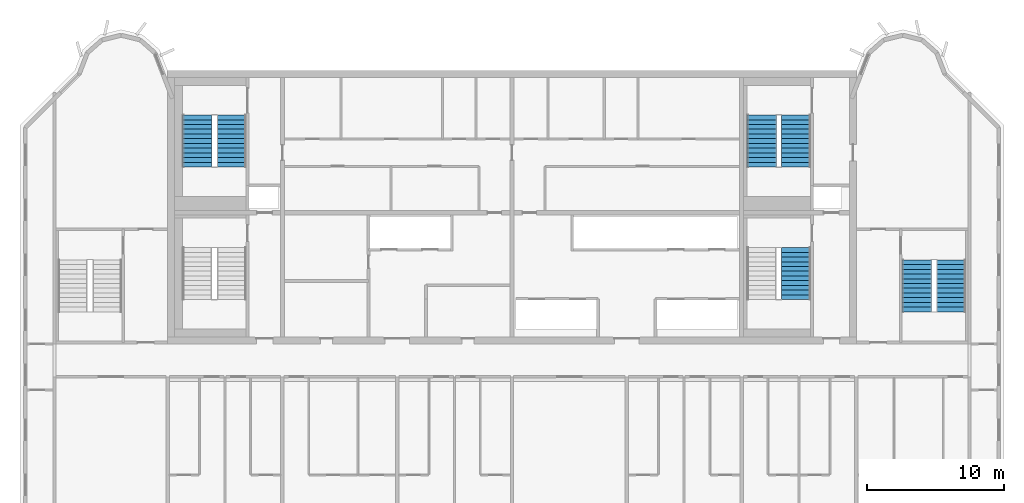
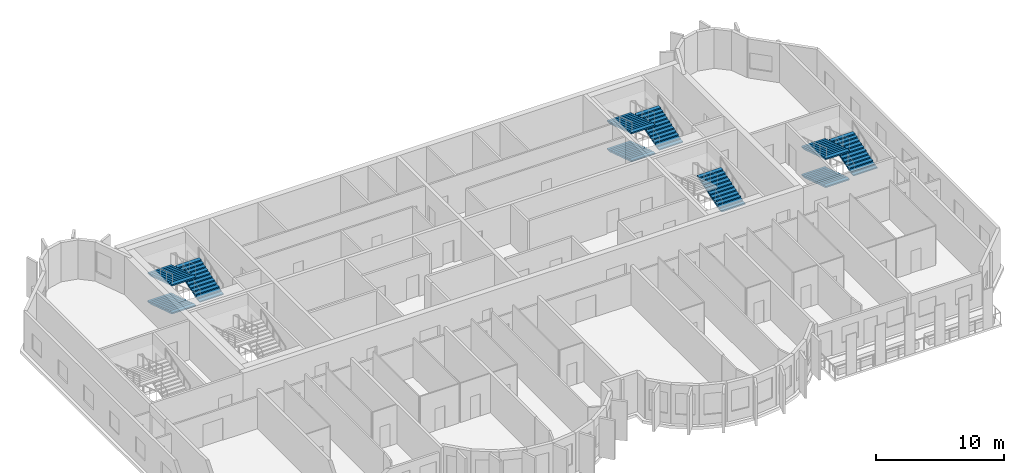
# One storey, part 9 of 12: 10 stair flights, 4 elements without a shape of their own.
"""IFC4 building model written with IfcOpenShell, lengths in metres."""

import ifcopenshell
import ifcopenshell.guid

model = None  # the IFC model being written
_history = None  # IfcOwnerHistory: only IFC2X3 demands one
_inside = {}  # id of a spatial element -> (the spatial element, [elements in it])
_under = {}  # id of a project, library or spatial element -> (it, [spatial elements below it])
_declared = {}  # id of a project -> (the project, [libraries it declares])
_typed = {}  # id of a type object -> (the type object, [elements of that type])
_made_of = {}  # id of a material, layer set ... -> (it, [elements and type objects made of it])


def new_model(schema):
    """Start an empty IFC model of exactly this schema.

    Asked for "IFC4X3", IfcOpenShell would pick the latest addendum, in which some entities
    have other attributes; the version numbers below select the first issue.
    IFC2X3 requires an IfcOwnerHistory on every rooted entity: one is made here for all.
    """
    global model, _history
    if schema == "IFC4X3":
        model = ifcopenshell.file(schema_version=(4, 3, 0, 0))
    else:
        model = ifcopenshell.file(schema=schema)
    _inside.clear()
    _under.clear()
    _declared.clear()
    _typed.clear()
    _made_of.clear()
    _history = None
    if model.schema == "IFC2X3":
        org = make("IfcOrganization", Name="unknown")
        user = make(
            "IfcPersonAndOrganization",
            ThePerson=make("IfcPerson", FamilyName="unknown"),
            TheOrganization=org,
        )
        app = make(
            "IfcApplication",
            ApplicationDeveloper=org,
            Version="unknown",
            ApplicationFullName="unknown",
            ApplicationIdentifier="unknown",
        )
        _history = make(
            "IfcOwnerHistory",
            OwningUser=user,
            OwningApplication=app,
            ChangeAction="ADDED",
            CreationDate=0,
        )
    return model


def make(cls, **values):
    """One entity of the class cls with the attributes given. An attribute that is None is left unset."""
    return model.create_entity(
        cls, **{name: value for name, value in values.items() if value is not None}
    )


def rooted(cls, **values):
    """An entity with a GlobalId (a new one), such as an element, a storey or a relation."""
    return make(cls, GlobalId=ifcopenshell.guid.new(), OwnerHistory=_history, **values)


def si_unit(unit_type, name, prefix=None):
    """IfcSIUnit, for example si_unit("LENGTHUNIT", "METRE", prefix="MILLI")."""
    return make("IfcSIUnit", UnitType=unit_type, Prefix=prefix, Name=name)


def assignment(units):
    """IfcUnitAssignment: the units of a project."""
    return None if units is None else make("IfcUnitAssignment", Units=units)


def point(xyz):
    """IfcCartesianPoint."""
    return None if xyz is None else make("IfcCartesianPoint", Coordinates=xyz)


def direction(xyz):
    """IfcDirection."""
    return None if xyz is None else make("IfcDirection", DirectionRatios=xyz)


def frame(location, z_axis=None, x_axis=None):
    """IfcAxis2Placement3D, a coordinate frame: its origin and axes. An axis left out is left unset."""
    return make(
        "IfcAxis2Placement3D",
        Location=point(location),
        Axis=direction(z_axis),
        RefDirection=direction(x_axis),
    )


def origin():
    """The frame at (0, 0, 0) with its axes left unset."""
    return frame((0.0, 0.0, 0.0))


def place(relative_to, where):
    """IfcLocalPlacement: puts the frame where relative to a parent placement (None: the world)."""
    return make(
        "IfcLocalPlacement", PlacementRelTo=relative_to, RelativePlacement=where
    )


def context(
    kind, dimensions, precision=None, world=None, true_north=None, identifier=None
):
    """IfcGeometricRepresentationContext, for example the 3D "Model" context."""
    return make(
        "IfcGeometricRepresentationContext",
        ContextIdentifier=identifier,
        ContextType=kind,
        CoordinateSpaceDimension=dimensions,
        Precision=precision,
        WorldCoordinateSystem=world,
        TrueNorth=true_north,
    )


def subcontext(parent, identifier, kind, view, scale=None):
    """IfcGeometricRepresentationSubContext, for example "Body" below "Model"."""
    return make(
        "IfcGeometricRepresentationSubContext",
        ContextIdentifier=identifier,
        ContextType=kind,
        ParentContext=parent,
        TargetScale=scale,
        TargetView=view,
    )


def project(units=None, contexts=None):
    """IfcProject with its units and contexts."""
    return rooted(
        "IfcProject",
        Name="project",
        RepresentationContexts=contexts,
        UnitsInContext=assignment(units),
    )


def spatial(cls, under=None, at=None, **own):
    """A site, building, storey or space (cls), placed at a placement, below another one or the project."""
    s = rooted(cls, ObjectPlacement=at, **own)
    if under is not None:
        _under.setdefault(under.id(), (under, []))[1].append(s)
    return s


def polyline(points):
    """IfcPolyline through the points."""
    return make("IfcPolyline", Points=[point(p) for p in points])


def outline(outer, holes=None, kind="AREA"):
    """IfcArbitraryClosedProfileDef: a profile drawn as a closed curve; with holes, ...WithVoids."""
    if holes is None:
        return make("IfcArbitraryClosedProfileDef", ProfileType=kind, OuterCurve=outer)
    return make(
        "IfcArbitraryProfileDefWithVoids",
        ProfileType=kind,
        OuterCurve=outer,
        InnerCurves=holes,
    )


def extrude(swept, where, along, depth):
    """IfcExtrudedAreaSolid: the profile swept, set in the frame where, extruded along a direction by depth."""
    return make(
        "IfcExtrudedAreaSolid",
        SweptArea=swept,
        Position=where,
        ExtrudedDirection=direction(along),
        Depth=depth,
    )


def shape(context_of_items, identifier, shape_type, items):
    """IfcShapeRepresentation: the items that make up one representation, for example the "Body"."""
    return make(
        "IfcShapeRepresentation",
        ContextOfItems=context_of_items,
        RepresentationIdentifier=identifier,
        RepresentationType=shape_type,
        Items=items,
    )


def source(mapping_origin, context_of_items, identifier, shape_type, items):
    """IfcRepresentationMap: a shape defined once, which mapped items show again and again."""
    return make(
        "IfcRepresentationMap",
        MappingOrigin=mapping_origin,
        MappedRepresentation=shape(context_of_items, identifier, shape_type, items),
    )


def transform(
    local_origin,
    x_axis=None,
    y_axis=None,
    z_axis=None,
    scale=None,
    scale2=None,
    scale3=None,
    uniform=True,
):
    """IfcCartesianTransformationOperator3D, or its non-uniform kind. x_axis, y_axis, z_axis: its Axis1, 2, 3."""
    if uniform:
        return make(
            "IfcCartesianTransformationOperator3D",
            Axis1=direction(x_axis),
            Axis2=direction(y_axis),
            LocalOrigin=point(local_origin),
            Scale=scale,
            Axis3=direction(z_axis),
        )
    return make(
        "IfcCartesianTransformationOperator3DnonUniform",
        Axis1=direction(x_axis),
        Axis2=direction(y_axis),
        LocalOrigin=point(local_origin),
        Scale=scale,
        Axis3=direction(z_axis),
        Scale2=scale2,
        Scale3=scale3,
    )


def mapped(mapping_source, mapping_target):
    """IfcMappedItem: shows the shape of a source again, moved by a transform."""
    return make(
        "IfcMappedItem", MappingSource=mapping_source, MappingTarget=mapping_target
    )


def material(Name=None, Category=None):
    """IfcMaterial."""
    return make("IfcMaterial", Name=Name, Category=Category)


def made_of(thing, what):
    """Note that an element or type object is made of a material, layer set ...; save() writes the relation."""
    if what is not None:
        _made_of.setdefault(what.id(), (what, []))[1].append(thing)
    return thing


def type_object(cls, material=None, **own):
    """A type object (cls), such as IfcWallType, which elements share."""
    return made_of(rooted(cls, **own), material)


def element(
    cls,
    number,
    at=None,
    inside=None,
    cuts=None,
    type_object=None,
    material=None,
    context=None,
    identifier="Body",
    shape_type=None,
    held_by="IfcProductDefinitionShape",
    body=None,
    shapes=None,
    **own,
):
    """One element of the class cls, such as IfcWall. Its Tag is "e" and its number.

    at: its placement. inside: the storey or other place that contains it. cuts: it is an
    opening in that element (IfcRelVoidsElement). A single representation is given by context,
    identifier, shape_type and body (its items); several are given by shapes. held_by: the class
    of the entity that holds the representations. save() writes the other relations.
    """
    e = rooted(cls, Tag="e%d" % number, ObjectPlacement=at, **own)
    if body is not None:
        shapes = [shape(context, identifier, shape_type, body)]
    if shapes is not None:
        e.Representation = make(held_by, Representations=shapes)
    if inside is not None:
        _inside.setdefault(inside.id(), (inside, []))[1].append(e)
    if cuts is not None:
        rooted(
            "IfcRelVoidsElement", RelatingBuildingElement=cuts, RelatedOpeningElement=e
        )
    if type_object is not None:
        _typed.setdefault(type_object.id(), (type_object, []))[1].append(e)
    return made_of(e, material)


def aggregate(whole, parts):
    """IfcRelAggregates: a whole, such as a stair, and the parts it consists of."""
    return rooted("IfcRelAggregates", RelatingObject=whole, RelatedObjects=parts)


def save(model, path):
    """Write the relations noted so far, then the file.

    IfcRelAggregates (storeys below a building ...), IfcRelContainedInSpatialStructure (elements
    in a storey), IfcRelDefinesByType, IfcRelAssociatesMaterial and IfcRelDeclares: one each for
    every whole, place, type object, material and project.
    """
    for whole, parts in _under.values():
        aggregate(whole, parts)
    for where, things in _inside.values():
        rooted(
            "IfcRelContainedInSpatialStructure",
            RelatedElements=things,
            RelatingStructure=where,
        )
    for kind, things in _typed.values():
        rooted("IfcRelDefinesByType", RelatedObjects=things, RelatingType=kind)
    for what, things in _made_of.values():
        rooted("IfcRelAssociatesMaterial", RelatedObjects=things, RelatingMaterial=what)
    for by, libraries in _declared.values():
        rooted("IfcRelDeclares", RelatingContext=by, RelatedDefinitions=libraries)
    model.write(path)


model = new_model("IFC4")

# Units and contexts
model_context = context("Model", 3, precision=1e-05, world=origin(), true_north=direction((0.0, 1.0)))
body_context = subcontext(model_context, "Body", "Model", "MODEL_VIEW")
ifc_project = project(units=[si_unit("LENGTHUNIT", "METRE"), si_unit("AREAUNIT", "SQUARE_METRE"), si_unit("VOLUMEUNIT", "CUBIC_METRE"), si_unit("PLANEANGLEUNIT", "RADIAN"), si_unit("MASSUNIT", "GRAM", prefix="KILO")], contexts=[model_context])

# Site, building, storey
site_placement = place(None, origin())
site = spatial("IfcSite", under=ifc_project, at=site_placement, CompositionType="ELEMENT")
building_placement = place(site_placement, origin())
building = spatial("IfcBuilding", under=site, at=building_placement, Name="Vanashikhar Sky Hotel", CompositionType="ELEMENT")
storey_placement = place(building_placement, frame((0.0, 0.0, 301.699951171875)))
storey = spatial("IfcBuildingStorey", under=building, at=storey_placement, Name="L72", CompositionType="ELEMENT", Elevation=301.699951171875)

# Stair, stair flight
ifc_material = material(Name="Concrete M40", Category="concrete")
stair_type = type_object("IfcStairType", Name="Exit stair 2150", PredefinedType="DOUBLE_RETURN_STAIR", material=ifc_material)
stair_1_placement = place(storey_placement, origin())
stair_1 = element("IfcStair", 1, at=stair_1_placement, inside=storey, type_object=stair_type, Name="L72 Exit stair 2", PredefinedType="DOUBLE_RETURN_STAIR")
stair_flight_type = type_object("IfcStairFlightType", Name="Stair flight 2150", PredefinedType="STRAIGHT", material=ifc_material)
shared_shape = source(origin(), body_context, "Body", "SweptSolid", [
    extrude(outline(polyline([(0.0, 0.0), (0.0, 0.111083984375), (0.345458984375, 0.111083984375), (0.345458984375, 0.22216796875), (0.69091796875, 0.22216796875), (0.69091796875, 0.333251953125), (1.036376953125, 0.333251953125), (1.036376953125, 0.4443359375), (1.3818359375, 0.4443359375), (1.3818359375, 0.5556640625), (1.727294921875, 0.5556640625), (1.727294921875, 0.666748046875), (2.07275390625, 0.666748046875), (2.07275390625, 0.77783203125), (2.418212890625, 0.77783203125), (2.418212890625, 0.888916015625), (2.763671875, 0.888916015625), (2.763671875, 1.0), (3.109130859375, 1.0), (3.109130859375, 1.111083984375), (3.45458984375, 1.111083984375), (3.45458984375, 1.22216796875), (3.800048828125, 1.22216796875), (3.800048828125, 1.333251953125), (3.800048828125, 1.095947265625), (0.392333984375, 0.0), (0.0, 0.0)])), frame((0.0, 1.074951171875, 0.0), z_axis=(0.0, -1.0, 0.0), x_axis=(1.0, 0.0, 0.0)), (0.0, 0.0, 1.0), 2.14990234375),
])
stair_flight_1_placement = place(storey_placement, frame((71.175048828125, 25.25, 1.33349609375), z_axis=(0.0, 0.0, 1.0), x_axis=(0.0, 1.0, 0.0)))
stair_flight_1 = element("IfcStairFlight", 2, at=stair_flight_1_placement, type_object=stair_flight_type, Name="ST-C2 flight 2", NumberOfRisers=12, NumberOfTreads=11, PredefinedType="STRAIGHT", RiserHeight=0.111111111, TreadLength=0.345454545, context=body_context, shape_type="MappedRepresentation", body=[
    mapped(shared_shape, transform((0.0, 0.0, 0.0), scale=1.0)),
])
aggregate(stair_1, [stair_flight_1])

# Stair, stair flights
stair_2_placement = place(storey_placement, origin())
stair_2 = element("IfcStair", 3, at=stair_2_placement, inside=storey, type_object=stair_type, Name="L72 Exit stair 4", PredefinedType="DOUBLE_RETURN_STAIR")
stair_flight_2_placement = place(storey_placement, frame((80.02490234375, 28.14990234375, 0.0), z_axis=(0.0, 0.0, 1.0), x_axis=(0.0, -1.0, 0.0)))
stair_flight_2 = element("IfcStairFlight", 4, at=stair_flight_2_placement, type_object=stair_flight_type, Name="ST-E flight 1", NumberOfRisers=12, NumberOfTreads=11, PredefinedType="STRAIGHT", RiserHeight=0.111111111, TreadLength=0.345454545, context=body_context, shape_type="MappedRepresentation", body=[
    mapped(shared_shape, transform((0.0, 0.0, 0.0), scale=1.0)),
])
stair_flight_3_placement = place(storey_placement, frame((82.52490234375, 24.35009765625, 1.33349609375), z_axis=(0.0, 0.0, 1.0), x_axis=(0.0, 1.0, 0.0)))
stair_flight_3 = element("IfcStairFlight", 5, at=stair_flight_3_placement, type_object=stair_flight_type, Name="ST-E flight 2", NumberOfRisers=12, NumberOfTreads=11, PredefinedType="STRAIGHT", RiserHeight=0.111111111, TreadLength=0.345454545, context=body_context, shape_type="MappedRepresentation", body=[
    mapped(shared_shape, transform((0.0, 0.0, 0.0), scale=1.0)),
])
stair_flight_4_placement = place(storey_placement, frame((80.02490234375, 28.14990234375, 2.666748046875), z_axis=(0.0, 0.0, 1.0), x_axis=(0.0, -1.0, 0.0)))
stair_flight_4 = element("IfcStairFlight", 6, at=stair_flight_4_placement, type_object=stair_flight_type, Name="ST-E flight 3", NumberOfRisers=12, NumberOfTreads=11, PredefinedType="STRAIGHT", RiserHeight=0.111111111, TreadLength=0.345454545, context=body_context, shape_type="MappedRepresentation", body=[
    mapped(shared_shape, transform((0.0, 0.0, 0.0), scale=1.0)),
])
aggregate(stair_2, [stair_flight_2, stair_flight_3, stair_flight_4])

stair_3_placement = place(storey_placement, origin())
stair_3 = element("IfcStair", 7, at=stair_3_placement, inside=storey, type_object=stair_type, Name="L72 Exit stair 5", PredefinedType="DOUBLE_RETURN_STAIR")
stair_flight_5_placement = place(storey_placement, frame((27.375, 38.75, 0.0), z_axis=(0.0, 0.0, 1.0), x_axis=(0.0, -1.0, 0.0)))
stair_flight_5 = element("IfcStairFlight", 8, at=stair_flight_5_placement, type_object=stair_flight_type, Name="ST-C3 flight 1", NumberOfRisers=12, NumberOfTreads=11, PredefinedType="STRAIGHT", RiserHeight=0.111111111, TreadLength=0.345454545, context=body_context, shape_type="MappedRepresentation", body=[
    mapped(shared_shape, transform((0.0, 0.0, 0.0), scale=1.0)),
])
stair_flight_6_placement = place(storey_placement, frame((29.875, 34.949951171875, 1.33349609375), z_axis=(0.0, 0.0, 1.0), x_axis=(0.0, 1.0, 0.0)))
stair_flight_6 = element("IfcStairFlight", 9, at=stair_flight_6_placement, type_object=stair_flight_type, Name="ST-C3 flight 2", NumberOfRisers=12, NumberOfTreads=11, PredefinedType="STRAIGHT", RiserHeight=0.111111111, TreadLength=0.345454545, context=body_context, shape_type="MappedRepresentation", body=[
    mapped(shared_shape, transform((0.0, 0.0, 0.0), scale=1.0)),
])
stair_flight_7_placement = place(storey_placement, frame((27.375, 38.75, 2.666748046875), z_axis=(0.0, 0.0, 1.0), x_axis=(0.0, -1.0, 0.0)))
stair_flight_7 = element("IfcStairFlight", 10, at=stair_flight_7_placement, type_object=stair_flight_type, Name="ST-C3 flight 3", NumberOfRisers=12, NumberOfTreads=11, PredefinedType="STRAIGHT", RiserHeight=0.111111111, TreadLength=0.345454545, context=body_context, shape_type="MappedRepresentation", body=[
    mapped(shared_shape, transform((0.0, 0.0, 0.0), scale=1.0)),
])
aggregate(stair_3, [stair_flight_5, stair_flight_6, stair_flight_7])

stair_4_placement = place(storey_placement, origin())
stair_4 = element("IfcStair", 11, at=stair_4_placement, inside=storey, type_object=stair_type, Name="L72 Exit stair 6", PredefinedType="DOUBLE_RETURN_STAIR")
stair_flight_8_placement = place(storey_placement, frame((68.675048828125, 38.75, 0.0), z_axis=(0.0, 0.0, 1.0), x_axis=(0.0, -1.0, 0.0)))
stair_flight_8 = element("IfcStairFlight", 12, at=stair_flight_8_placement, type_object=stair_flight_type, Name="ST-C4 flight 1", NumberOfRisers=12, NumberOfTreads=11, PredefinedType="STRAIGHT", RiserHeight=0.111111111, TreadLength=0.345454545, context=body_context, shape_type="MappedRepresentation", body=[
    mapped(shared_shape, transform((0.0, 0.0, 0.0), scale=1.0)),
])
stair_flight_9_placement = place(storey_placement, frame((71.175048828125, 34.949951171875, 1.33349609375), z_axis=(0.0, 0.0, 1.0), x_axis=(0.0, 1.0, 0.0)))
stair_flight_9 = element("IfcStairFlight", 13, at=stair_flight_9_placement, type_object=stair_flight_type, Name="ST-C4 flight 2", NumberOfRisers=12, NumberOfTreads=11, PredefinedType="STRAIGHT", RiserHeight=0.111111111, TreadLength=0.345454545, context=body_context, shape_type="MappedRepresentation", body=[
    mapped(shared_shape, transform((0.0, 0.0, 0.0), scale=1.0)),
])
stair_flight_10_placement = place(storey_placement, frame((68.675048828125, 38.75, 2.666748046875), z_axis=(0.0, 0.0, 1.0), x_axis=(0.0, -1.0, 0.0)))
stair_flight_10 = element("IfcStairFlight", 14, at=stair_flight_10_placement, type_object=stair_flight_type, Name="ST-C4 flight 3", NumberOfRisers=12, NumberOfTreads=11, PredefinedType="STRAIGHT", RiserHeight=0.111111111, TreadLength=0.345454545, context=body_context, shape_type="MappedRepresentation", body=[
    mapped(shared_shape, transform((0.0, 0.0, 0.0), scale=1.0)),
])
aggregate(stair_4, [stair_flight_8, stair_flight_9, stair_flight_10])

save(model, "model.ifc")
